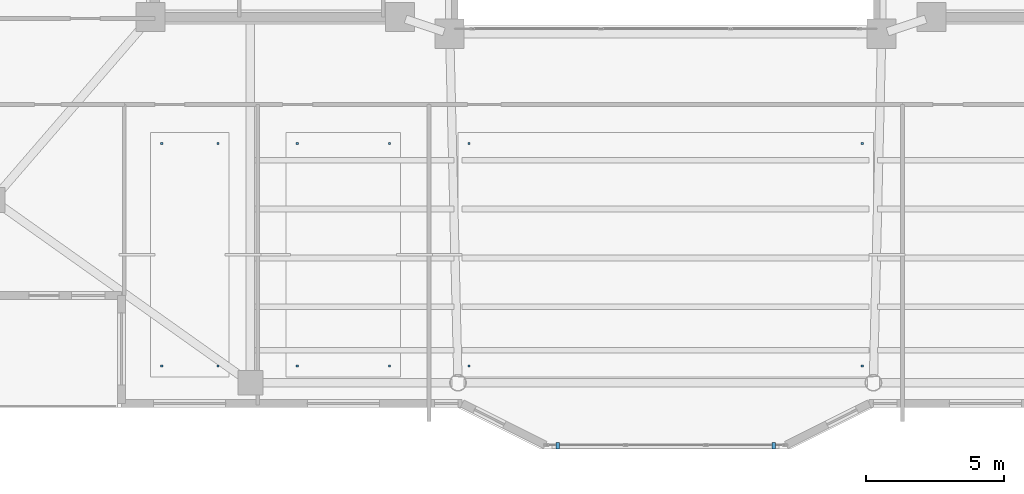
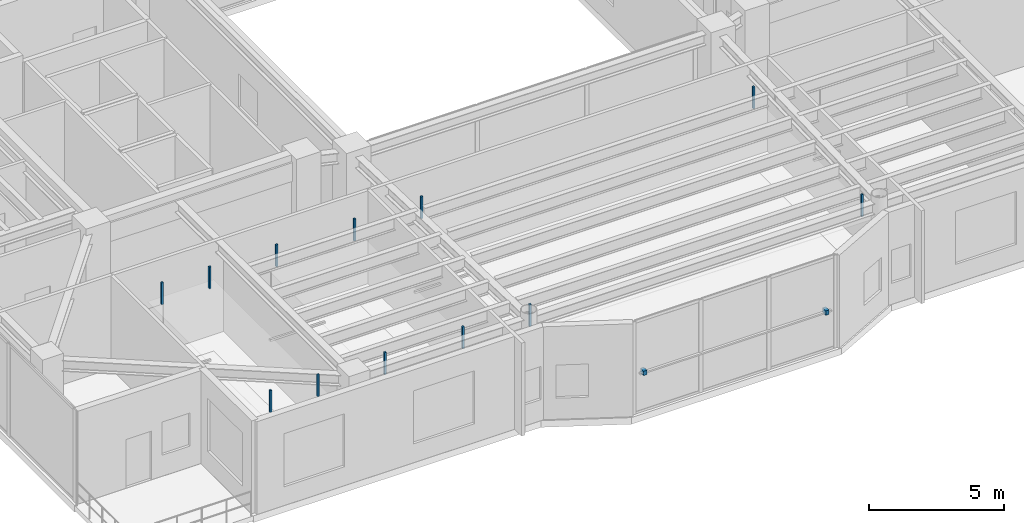
# One storey, part 28 of 33: 14 discrete accessories.
"""IFC4 building model written with IfcOpenShell, lengths in metres."""

import ifcopenshell
import ifcopenshell.guid

model = None  # the IFC model being written
_history = None  # IfcOwnerHistory: only IFC2X3 demands one
_inside = {}  # id of a spatial element -> (the spatial element, [elements in it])
_under = {}  # id of a project, library or spatial element -> (it, [spatial elements below it])
_declared = {}  # id of a project -> (the project, [libraries it declares])
_typed = {}  # id of a type object -> (the type object, [elements of that type])
_made_of = {}  # id of a material, layer set ... -> (it, [elements and type objects made of it])


def new_model(schema):
    """Start an empty IFC model of exactly this schema.

    Asked for "IFC4X3", IfcOpenShell would pick the latest addendum, in which some entities
    have other attributes; the version numbers below select the first issue.
    IFC2X3 requires an IfcOwnerHistory on every rooted entity: one is made here for all.
    """
    global model, _history
    if schema == "IFC4X3":
        model = ifcopenshell.file(schema_version=(4, 3, 0, 0))
    else:
        model = ifcopenshell.file(schema=schema)
    _inside.clear()
    _under.clear()
    _declared.clear()
    _typed.clear()
    _made_of.clear()
    _history = None
    if model.schema == "IFC2X3":
        org = make("IfcOrganization", Name="unknown")
        user = make(
            "IfcPersonAndOrganization",
            ThePerson=make("IfcPerson", FamilyName="unknown"),
            TheOrganization=org,
        )
        app = make(
            "IfcApplication",
            ApplicationDeveloper=org,
            Version="unknown",
            ApplicationFullName="unknown",
            ApplicationIdentifier="unknown",
        )
        _history = make(
            "IfcOwnerHistory",
            OwningUser=user,
            OwningApplication=app,
            ChangeAction="ADDED",
            CreationDate=0,
        )
    return model


def make(cls, **values):
    """One entity of the class cls with the attributes given. An attribute that is None is left unset."""
    return model.create_entity(
        cls, **{name: value for name, value in values.items() if value is not None}
    )


def rooted(cls, **values):
    """An entity with a GlobalId (a new one), such as an element, a storey or a relation."""
    return make(cls, GlobalId=ifcopenshell.guid.new(), OwnerHistory=_history, **values)


def si_unit(unit_type, name, prefix=None):
    """IfcSIUnit, for example si_unit("LENGTHUNIT", "METRE", prefix="MILLI")."""
    return make("IfcSIUnit", UnitType=unit_type, Prefix=prefix, Name=name)


def assignment(units):
    """IfcUnitAssignment: the units of a project."""
    return None if units is None else make("IfcUnitAssignment", Units=units)


def point(xyz):
    """IfcCartesianPoint."""
    return None if xyz is None else make("IfcCartesianPoint", Coordinates=xyz)


def direction(xyz):
    """IfcDirection."""
    return None if xyz is None else make("IfcDirection", DirectionRatios=xyz)


def frame(location, z_axis=None, x_axis=None):
    """IfcAxis2Placement3D, a coordinate frame: its origin and axes. An axis left out is left unset."""
    return make(
        "IfcAxis2Placement3D",
        Location=point(location),
        Axis=direction(z_axis),
        RefDirection=direction(x_axis),
    )


def frame_2d(location, x_axis=None):
    """IfcAxis2Placement2D, a coordinate frame in the plane: its origin and x axis."""
    return make(
        "IfcAxis2Placement2D", Location=point(location), RefDirection=direction(x_axis)
    )


def origin():
    """The frame at (0, 0, 0) with its axes left unset."""
    return frame((0.0, 0.0, 0.0))


def origin_2d():
    """The frame at (0, 0) in the plane with its x axis left unset."""
    return frame_2d((0.0, 0.0))


def place(relative_to, where):
    """IfcLocalPlacement: puts the frame where relative to a parent placement (None: the world)."""
    return make(
        "IfcLocalPlacement", PlacementRelTo=relative_to, RelativePlacement=where
    )


def context(
    kind, dimensions, precision=None, world=None, true_north=None, identifier=None
):
    """IfcGeometricRepresentationContext, for example the 3D "Model" context."""
    return make(
        "IfcGeometricRepresentationContext",
        ContextIdentifier=identifier,
        ContextType=kind,
        CoordinateSpaceDimension=dimensions,
        Precision=precision,
        WorldCoordinateSystem=world,
        TrueNorth=true_north,
    )


def subcontext(parent, identifier, kind, view, scale=None):
    """IfcGeometricRepresentationSubContext, for example "Body" below "Model"."""
    return make(
        "IfcGeometricRepresentationSubContext",
        ContextIdentifier=identifier,
        ContextType=kind,
        ParentContext=parent,
        TargetScale=scale,
        TargetView=view,
    )


def project(units=None, contexts=None):
    """IfcProject with its units and contexts."""
    return rooted(
        "IfcProject",
        Name="project",
        RepresentationContexts=contexts,
        UnitsInContext=assignment(units),
    )


def spatial(cls, under=None, at=None, **own):
    """A site, building, storey or space (cls), placed at a placement, below another one or the project."""
    s = rooted(cls, ObjectPlacement=at, **own)
    if under is not None:
        _under.setdefault(under.id(), (under, []))[1].append(s)
    return s


def profile(cls, at=None, kind="AREA", **sizes):
    """A parametric profile (cls). Its sizes go by their IFC names, for example OverallWidth=200.0."""
    return make(cls, ProfileType=kind, Position=at, **sizes)


def rectangle(**sizes):
    """IfcRectangleProfileDef."""
    return profile("IfcRectangleProfileDef", **sizes)


def extrude(swept, where, along, depth):
    """IfcExtrudedAreaSolid: the profile swept, set in the frame where, extruded along a direction by depth."""
    return make(
        "IfcExtrudedAreaSolid",
        SweptArea=swept,
        Position=where,
        ExtrudedDirection=direction(along),
        Depth=depth,
    )


def shape(context_of_items, identifier, shape_type, items):
    """IfcShapeRepresentation: the items that make up one representation, for example the "Body"."""
    return make(
        "IfcShapeRepresentation",
        ContextOfItems=context_of_items,
        RepresentationIdentifier=identifier,
        RepresentationType=shape_type,
        Items=items,
    )


def material(Name=None, Category=None):
    """IfcMaterial."""
    return make("IfcMaterial", Name=Name, Category=Category)


def made_of(thing, what):
    """Note that an element or type object is made of a material, layer set ...; save() writes the relation."""
    if what is not None:
        _made_of.setdefault(what.id(), (what, []))[1].append(thing)
    return thing


def type_object(cls, material=None, **own):
    """A type object (cls), such as IfcWallType, which elements share."""
    return made_of(rooted(cls, **own), material)


def element(
    cls,
    number,
    at=None,
    inside=None,
    cuts=None,
    type_object=None,
    material=None,
    context=None,
    identifier="Body",
    shape_type=None,
    held_by="IfcProductDefinitionShape",
    body=None,
    shapes=None,
    **own,
):
    """One element of the class cls, such as IfcWall. Its Tag is "e" and its number.

    at: its placement. inside: the storey or other place that contains it. cuts: it is an
    opening in that element (IfcRelVoidsElement). A single representation is given by context,
    identifier, shape_type and body (its items); several are given by shapes. held_by: the class
    of the entity that holds the representations. save() writes the other relations.
    """
    e = rooted(cls, Tag="e%d" % number, ObjectPlacement=at, **own)
    if body is not None:
        shapes = [shape(context, identifier, shape_type, body)]
    if shapes is not None:
        e.Representation = make(held_by, Representations=shapes)
    if inside is not None:
        _inside.setdefault(inside.id(), (inside, []))[1].append(e)
    if cuts is not None:
        rooted(
            "IfcRelVoidsElement", RelatingBuildingElement=cuts, RelatedOpeningElement=e
        )
    if type_object is not None:
        _typed.setdefault(type_object.id(), (type_object, []))[1].append(e)
    return made_of(e, material)


def aggregate(whole, parts):
    """IfcRelAggregates: a whole, such as a stair, and the parts it consists of."""
    return rooted("IfcRelAggregates", RelatingObject=whole, RelatedObjects=parts)


def save(model, path):
    """Write the relations noted so far, then the file.

    IfcRelAggregates (storeys below a building ...), IfcRelContainedInSpatialStructure (elements
    in a storey), IfcRelDefinesByType, IfcRelAssociatesMaterial and IfcRelDeclares: one each for
    every whole, place, type object, material and project.
    """
    for whole, parts in _under.values():
        aggregate(whole, parts)
    for where, things in _inside.values():
        rooted(
            "IfcRelContainedInSpatialStructure",
            RelatedElements=things,
            RelatingStructure=where,
        )
    for kind, things in _typed.values():
        rooted("IfcRelDefinesByType", RelatedObjects=things, RelatingType=kind)
    for what, things in _made_of.values():
        rooted("IfcRelAssociatesMaterial", RelatedObjects=things, RelatingMaterial=what)
    for by, libraries in _declared.values():
        rooted("IfcRelDeclares", RelatingContext=by, RelatedDefinitions=libraries)
    model.write(path)


model = new_model("IFC4")

# Units and contexts
model_context = context("Model", 3, precision=1e-05, world=origin(), true_north=direction((0.0, 1.0)))
body_context = subcontext(model_context, "Body", "Model", "MODEL_VIEW")
ifc_project = project(units=[si_unit("LENGTHUNIT", "METRE"), si_unit("AREAUNIT", "SQUARE_METRE"), si_unit("VOLUMEUNIT", "CUBIC_METRE"), si_unit("PLANEANGLEUNIT", "RADIAN"), si_unit("MASSUNIT", "GRAM", prefix="KILO")], contexts=[model_context])

# Site, building, storey
site_placement = place(None, origin())
site = spatial("IfcSite", under=ifc_project, at=site_placement, CompositionType="ELEMENT")
building_placement = place(site_placement, origin())
building = spatial("IfcBuilding", under=site, at=building_placement, Name="Tarnavaz Court Tower", CompositionType="ELEMENT")
storey_placement = place(building_placement, frame((0.0, 0.0, 172.800048828125)))
storey = spatial("IfcBuildingStorey", under=building, at=storey_placement, Name="L47", CompositionType="ELEMENT", Elevation=172.800048828125)

# Discrete accessories
ifc_material = material(Name="Anodised Aluminium 6063-T6", Category="aluminium")
discrete_accessory_type = type_object("IfcDiscreteAccessoryType", Name="DA-BRKT-ALU", PredefinedType="BRACKET", material=ifc_material)
for number, where, z_axis, x_axis, name in (
    (1, (3.89990234375, -22.669921875, 1.7001953125), (0.0, 0.0, 1.0), (-1.0, 0.0, 0.0), "L47 Baguette Outrigger Bracket PBG17-1"),
    (2, (-3.89990234375, -22.669921875, 1.7001953125), (0.0, 0.0, 1.0), (-1.0, 0.0, 0.0), "L47 Baguette Outrigger Bracket PBG17-2"),
):
    element("IfcDiscreteAccessory", number, at=place(storey_placement, frame(where, z_axis=z_axis, x_axis=x_axis)), inside=storey, type_object=discrete_accessory_type, Name=name, PredefinedType="BRACKET", context=body_context, shape_type="SweptSolid", body=[
        extrude(rectangle(XDim=0.139892578125, YDim=0.239990234375, at=origin_2d()), origin(), (0.0, 0.0, 1.0), 0.199951171875),
    ])
for number, where, z_axis, x_axis, name in (
    (3, (-18.199951171875, -19.800048828125, 3.23974609375), (0.0, 0.0, 1.0), (1.0, 0.0, 0.0), "L47 Ceiling Suspension Hanger Bracket 02-1"),
    (4, (-16.162109375, -19.800048828125, 3.23974609375), (0.0, 0.0, 1.0), (1.0, 0.0, 0.0), "L47 Ceiling Suspension Hanger Bracket 02-2"),
    (5, (-16.162109375, -11.760009765625, 3.23974609375), (0.0, 0.0, 1.0), (1.0, 0.0, 0.0), "L47 Ceiling Suspension Hanger Bracket 02-3"),
    (6, (-18.199951171875, -11.760009765625, 3.23974609375), (0.0, 0.0, 1.0), (1.0, 0.0, 0.0), "L47 Ceiling Suspension Hanger Bracket 02-4"),
    (7, (-13.302001953125, -19.800048828125, 3.23974609375), (0.0, 0.0, 1.0), (1.0, 0.0, 0.0), "L47 Ceiling Suspension Hanger Bracket 03-1"),
    (8, (-9.969970703125, -19.800048828125, 3.23974609375), (0.0, 0.0, 1.0), (1.0, 0.0, 0.0), "L47 Ceiling Suspension Hanger Bracket 03-2"),
    (9, (-9.969970703125, -11.760009765625, 3.23974609375), (0.0, 0.0, 1.0), (1.0, 0.0, 0.0), "L47 Ceiling Suspension Hanger Bracket 03-3"),
    (10, (-13.302001953125, -11.760009765625, 3.23974609375), (0.0, 0.0, 1.0), (1.0, 0.0, 0.0), "L47 Ceiling Suspension Hanger Bracket 03-4"),
    (11, (-7.10009765625, -19.800048828125, 3.23974609375), (0.0, 0.0, 1.0), (1.0, 0.0, 0.0), "L47 Ceiling Suspension Hanger Bracket 04-1"),
    (12, (7.10009765625, -19.800048828125, 3.23974609375), (0.0, 0.0, 1.0), (1.0, 0.0, 0.0), "L47 Ceiling Suspension Hanger Bracket 04-2"),
    (13, (7.10009765625, -11.760009765625, 3.23974609375), (0.0, 0.0, 1.0), (1.0, 0.0, 0.0), "L47 Ceiling Suspension Hanger Bracket 04-3"),
    (14, (-7.10009765625, -11.760009765625, 3.23974609375), (0.0, 0.0, 1.0), (1.0, 0.0, 0.0), "L47 Ceiling Suspension Hanger Bracket 04-4"),
):
    element("IfcDiscreteAccessory", number, at=place(storey_placement, frame(where, z_axis=z_axis, x_axis=x_axis)), inside=storey, type_object=discrete_accessory_type, Name=name, PredefinedType="BRACKET", context=body_context, shape_type="SweptSolid", body=[
        extrude(rectangle(XDim=0.080078125, YDim=0.080078125, at=origin_2d()), origin(), (0.0, 0.0, 1.0), 0.989990234375),
    ])

save(model, "model.ifc")
